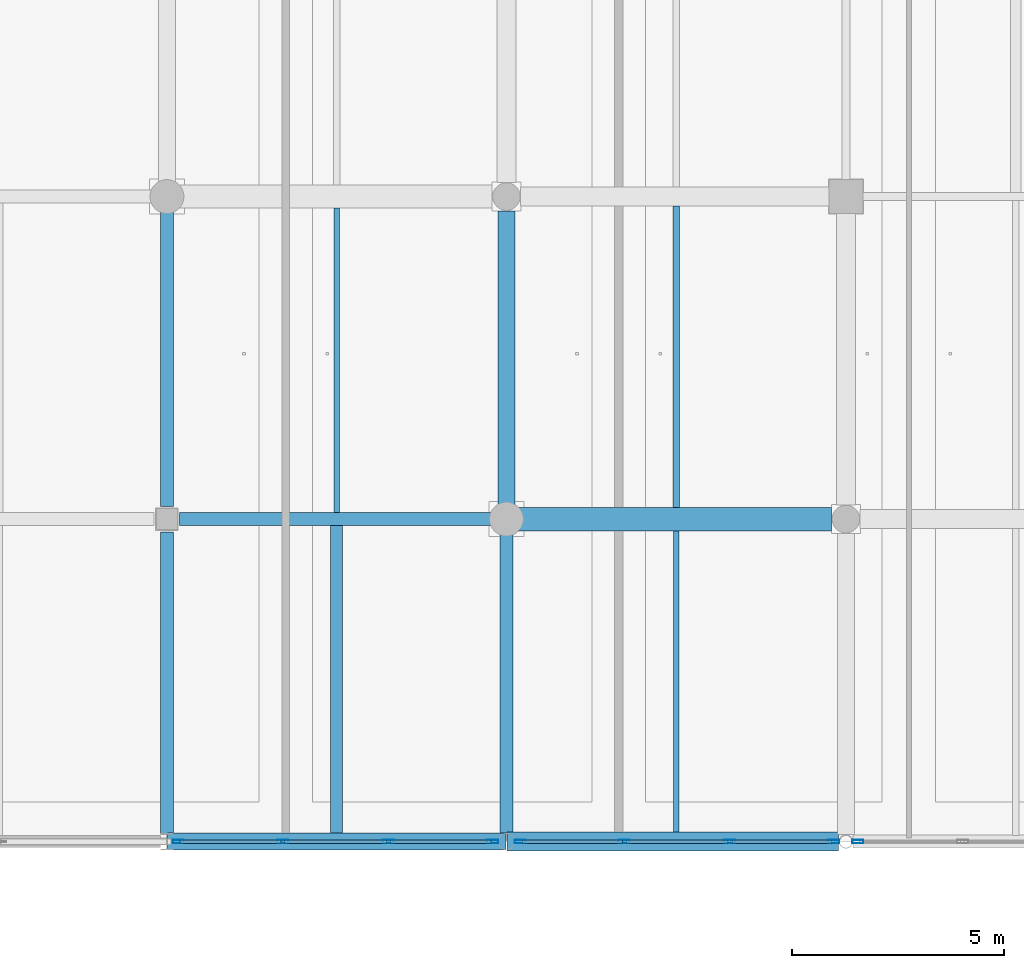
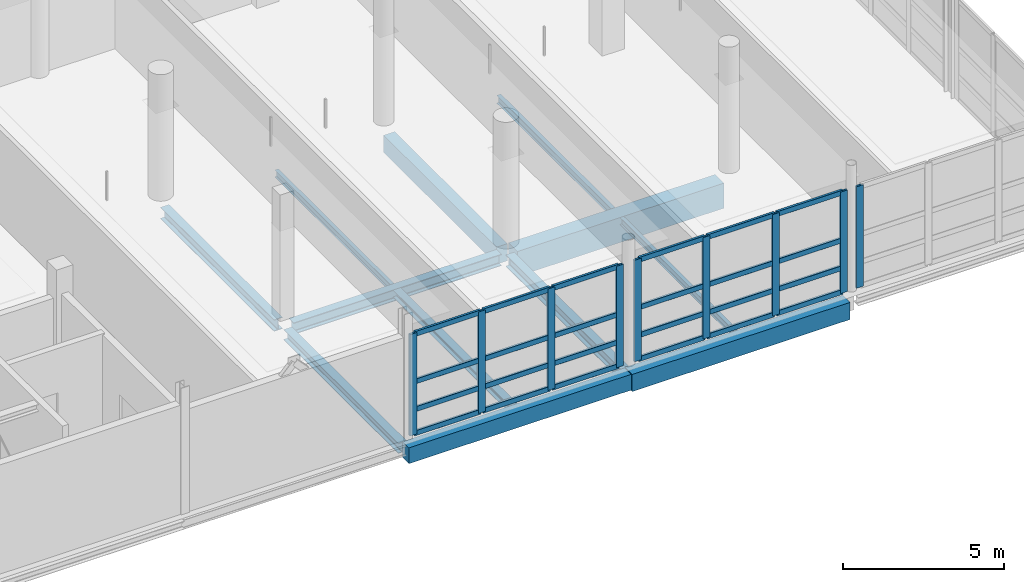
# One storey, part 45 of 147: 33 members, 12 beams, 3 elements without a shape of their own.
"""IFC4 building model written with IfcOpenShell, lengths in metres."""

import ifcopenshell
import ifcopenshell.guid

model = None  # the IFC model being written
_history = None  # IfcOwnerHistory: only IFC2X3 demands one
_inside = {}  # id of a spatial element -> (the spatial element, [elements in it])
_under = {}  # id of a project, library or spatial element -> (it, [spatial elements below it])
_declared = {}  # id of a project -> (the project, [libraries it declares])
_typed = {}  # id of a type object -> (the type object, [elements of that type])
_made_of = {}  # id of a material, layer set ... -> (it, [elements and type objects made of it])


def new_model(schema):
    """Start an empty IFC model of exactly this schema.

    Asked for "IFC4X3", IfcOpenShell would pick the latest addendum, in which some entities
    have other attributes; the version numbers below select the first issue.
    IFC2X3 requires an IfcOwnerHistory on every rooted entity: one is made here for all.
    """
    global model, _history
    if schema == "IFC4X3":
        model = ifcopenshell.file(schema_version=(4, 3, 0, 0))
    else:
        model = ifcopenshell.file(schema=schema)
    _inside.clear()
    _under.clear()
    _declared.clear()
    _typed.clear()
    _made_of.clear()
    _history = None
    if model.schema == "IFC2X3":
        org = make("IfcOrganization", Name="unknown")
        user = make(
            "IfcPersonAndOrganization",
            ThePerson=make("IfcPerson", FamilyName="unknown"),
            TheOrganization=org,
        )
        app = make(
            "IfcApplication",
            ApplicationDeveloper=org,
            Version="unknown",
            ApplicationFullName="unknown",
            ApplicationIdentifier="unknown",
        )
        _history = make(
            "IfcOwnerHistory",
            OwningUser=user,
            OwningApplication=app,
            ChangeAction="ADDED",
            CreationDate=0,
        )
    return model


def make(cls, **values):
    """One entity of the class cls with the attributes given. An attribute that is None is left unset."""
    return model.create_entity(
        cls, **{name: value for name, value in values.items() if value is not None}
    )


def rooted(cls, **values):
    """An entity with a GlobalId (a new one), such as an element, a storey or a relation."""
    return make(cls, GlobalId=ifcopenshell.guid.new(), OwnerHistory=_history, **values)


def si_unit(unit_type, name, prefix=None):
    """IfcSIUnit, for example si_unit("LENGTHUNIT", "METRE", prefix="MILLI")."""
    return make("IfcSIUnit", UnitType=unit_type, Prefix=prefix, Name=name)


def assignment(units):
    """IfcUnitAssignment: the units of a project."""
    return None if units is None else make("IfcUnitAssignment", Units=units)


def point(xyz):
    """IfcCartesianPoint."""
    return None if xyz is None else make("IfcCartesianPoint", Coordinates=xyz)


def direction(xyz):
    """IfcDirection."""
    return None if xyz is None else make("IfcDirection", DirectionRatios=xyz)


def frame(location, z_axis=None, x_axis=None):
    """IfcAxis2Placement3D, a coordinate frame: its origin and axes. An axis left out is left unset."""
    return make(
        "IfcAxis2Placement3D",
        Location=point(location),
        Axis=direction(z_axis),
        RefDirection=direction(x_axis),
    )


def frame_2d(location, x_axis=None):
    """IfcAxis2Placement2D, a coordinate frame in the plane: its origin and x axis."""
    return make(
        "IfcAxis2Placement2D", Location=point(location), RefDirection=direction(x_axis)
    )


def origin():
    """The frame at (0, 0, 0) with its axes left unset."""
    return frame((0.0, 0.0, 0.0))


def origin_2d():
    """The frame at (0, 0) in the plane with its x axis left unset."""
    return frame_2d((0.0, 0.0))


def place(relative_to, where):
    """IfcLocalPlacement: puts the frame where relative to a parent placement (None: the world)."""
    return make(
        "IfcLocalPlacement", PlacementRelTo=relative_to, RelativePlacement=where
    )


def context(
    kind, dimensions, precision=None, world=None, true_north=None, identifier=None
):
    """IfcGeometricRepresentationContext, for example the 3D "Model" context."""
    return make(
        "IfcGeometricRepresentationContext",
        ContextIdentifier=identifier,
        ContextType=kind,
        CoordinateSpaceDimension=dimensions,
        Precision=precision,
        WorldCoordinateSystem=world,
        TrueNorth=true_north,
    )


def subcontext(parent, identifier, kind, view, scale=None):
    """IfcGeometricRepresentationSubContext, for example "Body" below "Model"."""
    return make(
        "IfcGeometricRepresentationSubContext",
        ContextIdentifier=identifier,
        ContextType=kind,
        ParentContext=parent,
        TargetScale=scale,
        TargetView=view,
    )


def project(units=None, contexts=None):
    """IfcProject with its units and contexts."""
    return rooted(
        "IfcProject",
        Name="project",
        RepresentationContexts=contexts,
        UnitsInContext=assignment(units),
    )


def spatial(cls, under=None, at=None, **own):
    """A site, building, storey or space (cls), placed at a placement, below another one or the project."""
    s = rooted(cls, ObjectPlacement=at, **own)
    if under is not None:
        _under.setdefault(under.id(), (under, []))[1].append(s)
    return s


def profile(cls, at=None, kind="AREA", **sizes):
    """A parametric profile (cls). Its sizes go by their IFC names, for example OverallWidth=200.0."""
    return make(cls, ProfileType=kind, Position=at, **sizes)


def rectangle(**sizes):
    """IfcRectangleProfileDef."""
    return profile("IfcRectangleProfileDef", **sizes)


def hollow_rectangle(**sizes):
    """IfcRectangleHollowProfileDef."""
    return profile("IfcRectangleHollowProfileDef", **sizes)


def i_section(**sizes):
    """IfcIShapeProfileDef."""
    return profile("IfcIShapeProfileDef", **sizes)


def extrude(swept, where, along, depth):
    """IfcExtrudedAreaSolid: the profile swept, set in the frame where, extruded along a direction by depth."""
    return make(
        "IfcExtrudedAreaSolid",
        SweptArea=swept,
        Position=where,
        ExtrudedDirection=direction(along),
        Depth=depth,
    )


def shape(context_of_items, identifier, shape_type, items):
    """IfcShapeRepresentation: the items that make up one representation, for example the "Body"."""
    return make(
        "IfcShapeRepresentation",
        ContextOfItems=context_of_items,
        RepresentationIdentifier=identifier,
        RepresentationType=shape_type,
        Items=items,
    )


def material(Name=None, Category=None):
    """IfcMaterial."""
    return make("IfcMaterial", Name=Name, Category=Category)


def material_profile(
    of_material, cross_section, Name=None, Category=None, Priority=None
):
    """IfcMaterialProfile: a cross section and its material."""
    return make(
        "IfcMaterialProfile",
        Name=Name,
        Material=of_material,
        Profile=cross_section,
        Priority=Priority,
        Category=Category,
    )


def profile_set(profiles, Name=None, composite=None):
    """IfcMaterialProfileSet."""
    return make(
        "IfcMaterialProfileSet",
        Name=Name,
        MaterialProfiles=profiles,
        CompositeProfile=composite,
    )


def made_of(thing, what):
    """Note that an element or type object is made of a material, layer set ...; save() writes the relation."""
    if what is not None:
        _made_of.setdefault(what.id(), (what, []))[1].append(thing)
    return thing


def type_object(cls, material=None, **own):
    """A type object (cls), such as IfcWallType, which elements share."""
    return made_of(rooted(cls, **own), material)


def element(
    cls,
    number,
    at=None,
    inside=None,
    cuts=None,
    type_object=None,
    material=None,
    context=None,
    identifier="Body",
    shape_type=None,
    held_by="IfcProductDefinitionShape",
    body=None,
    shapes=None,
    **own,
):
    """One element of the class cls, such as IfcWall. Its Tag is "e" and its number.

    at: its placement. inside: the storey or other place that contains it. cuts: it is an
    opening in that element (IfcRelVoidsElement). A single representation is given by context,
    identifier, shape_type and body (its items); several are given by shapes. held_by: the class
    of the entity that holds the representations. save() writes the other relations.
    """
    e = rooted(cls, Tag="e%d" % number, ObjectPlacement=at, **own)
    if body is not None:
        shapes = [shape(context, identifier, shape_type, body)]
    if shapes is not None:
        e.Representation = make(held_by, Representations=shapes)
    if inside is not None:
        _inside.setdefault(inside.id(), (inside, []))[1].append(e)
    if cuts is not None:
        rooted(
            "IfcRelVoidsElement", RelatingBuildingElement=cuts, RelatedOpeningElement=e
        )
    if type_object is not None:
        _typed.setdefault(type_object.id(), (type_object, []))[1].append(e)
    return made_of(e, material)


def aggregate(whole, parts):
    """IfcRelAggregates: a whole, such as a stair, and the parts it consists of."""
    return rooted("IfcRelAggregates", RelatingObject=whole, RelatedObjects=parts)


def save(model, path):
    """Write the relations noted so far, then the file.

    IfcRelAggregates (storeys below a building ...), IfcRelContainedInSpatialStructure (elements
    in a storey), IfcRelDefinesByType, IfcRelAssociatesMaterial and IfcRelDeclares: one each for
    every whole, place, type object, material and project.
    """
    for whole, parts in _under.values():
        aggregate(whole, parts)
    for where, things in _inside.values():
        rooted(
            "IfcRelContainedInSpatialStructure",
            RelatedElements=things,
            RelatingStructure=where,
        )
    for kind, things in _typed.values():
        rooted("IfcRelDefinesByType", RelatedObjects=things, RelatingType=kind)
    for what, things in _made_of.values():
        rooted("IfcRelAssociatesMaterial", RelatedObjects=things, RelatingMaterial=what)
    for by, libraries in _declared.values():
        rooted("IfcRelDeclares", RelatingContext=by, RelatedDefinitions=libraries)
    model.write(path)


model = new_model("IFC4")

# Units and contexts
model_context = context("Model", 3, precision=1e-05, world=origin(), true_north=direction((0.0, 1.0)))
body_context = subcontext(model_context, "Body", "Model", "MODEL_VIEW")
ifc_project = project(units=[si_unit("LENGTHUNIT", "METRE"), si_unit("AREAUNIT", "SQUARE_METRE"), si_unit("VOLUMEUNIT", "CUBIC_METRE"), si_unit("PLANEANGLEUNIT", "RADIAN"), si_unit("MASSUNIT", "GRAM", prefix="KILO")], contexts=[model_context])

# Site, building, storey
site_placement = place(None, origin())
site = spatial("IfcSite", under=ifc_project, at=site_placement, CompositionType="ELEMENT")
building_placement = place(site_placement, origin())
building = spatial("IfcBuilding", under=site, at=building_placement, Name="Khelvaren Railside Concert Hall", CompositionType="ELEMENT")
storey_placement = place(building_placement, frame((0.0, 0.0, 5.39990234375)))
storey = spatial("IfcBuildingStorey", under=building, at=storey_placement, Name="L01", CompositionType="ELEMENT", Elevation=5.39990234375)

# Beams
ifc_material_1 = material(Name="Steel S355", Category="steel")
ifc_material_profile_1 = material_profile(ifc_material_1, i_section(OverallWidth=0.300048828125, OverallDepth=0.389892578125, WebThickness=0.010986328125, FlangeThickness=0.01904296875, FilletRadius=0.027099609375, at=origin_2d()), Name="HEA 400")
ifc_profile_set_1 = profile_set([ifc_material_profile_1], Name="Steel S355")
beam_type_1 = type_object("IfcBeamType", Name="BM23", PredefinedType="BEAM", material=ifc_profile_set_1)
beam_1_placement = place(storey_placement, frame((160.0, 0.179931640625, -0.494873046875), z_axis=(0.0, 1.0, 0.0), x_axis=(-1.0, 0.0, 0.0)))
element("IfcBeam", 1, at=beam_1_placement, inside=storey, type_object=beam_type_1, Name="V2 L01 Beam Y3.1", PredefinedType="BEAM", context=body_context, shape_type="SweptSolid", body=[
    extrude(i_section(OverallWidth=0.300048828125, OverallDepth=0.389892578125, WebThickness=0.010986328125, FlangeThickness=0.01904296875, FilletRadius=0.027099609375, at=origin_2d()), origin(), (0.0, 0.0, 1.0), 7.1201171875),
])
ifc_material_2 = material(Name="Concrete C40/50", Category="concrete")
ifc_material_profile_2 = material_profile(ifc_material_2, rectangle(XDim=0.39990234375, YDim=0.64990234375, at=origin_2d()), Name="RCB 400x650")
ifc_profile_set_2 = profile_set([ifc_material_profile_2], Name="Concrete C40/50")
beam_type_2 = type_object("IfcBeamType", Name="BM33", PredefinedType="BEAM", material=ifc_profile_set_2)
beam_2_placement = place(storey_placement, frame((168.0, 7.85009765625, -0.625), z_axis=(0.0, 1.0, 0.0), x_axis=(-1.0, 0.0, 0.0)))
element("IfcBeam", 2, at=beam_2_placement, inside=storey, type_object=beam_type_2, Name="V2 L01 Beam Y4.2", PredefinedType="BEAM", context=body_context, shape_type="SweptSolid", body=[
    extrude(rectangle(XDim=0.39990234375, YDim=0.64990234375, at=origin_2d()), origin(), (0.0, 0.0, 1.0), 7.013916015625),
])
ifc_material_profile_3 = material_profile(ifc_material_1, i_section(OverallWidth=0.300048828125, OverallDepth=0.43994140625, WebThickness=0.011474609375, FlangeThickness=0.02099609375, FilletRadius=0.027099609375, at=origin_2d()), Name="HEA 450")
ifc_profile_set_3 = profile_set([ifc_material_profile_3], Name="Steel S355")
beam_type_3 = type_object("IfcBeamType", Name="BM89", PredefinedType="BEAM", material=ifc_profile_set_3)
beam_3_placement = place(storey_placement, frame((160.300048828125, 7.60009765625, -0.52001953125), z_axis=(1.0, 0.0, 0.0), x_axis=(0.0, 1.0, 0.0)))
element("IfcBeam", 3, at=beam_3_placement, inside=storey, type_object=beam_type_3, Name="V2 L01 Beam X2.3", PredefinedType="BEAM", context=body_context, shape_type="SweptSolid", body=[
    extrude(i_section(OverallWidth=0.300048828125, OverallDepth=0.43994140625, WebThickness=0.011474609375, FlangeThickness=0.02099609375, FilletRadius=0.027099609375, at=origin_2d()), origin(), (0.0, 0.0, 1.0), 7.449951171875),
])
beam_4_placement = place(storey_placement, frame((160.0, 7.89990234375, -0.52001953125), z_axis=(0.0, 1.0, 0.0), x_axis=(-1.0, 0.0, 0.0)))
element("IfcBeam", 4, at=beam_4_placement, inside=storey, type_object=beam_type_3, Name="V2 L01 Beam Y3.2", PredefinedType="BEAM", context=body_context, shape_type="SweptSolid", body=[
    extrude(i_section(OverallWidth=0.300048828125, OverallDepth=0.43994140625, WebThickness=0.011474609375, FlangeThickness=0.02099609375, FilletRadius=0.027099609375, at=origin_2d()), origin(), (0.0, 0.0, 1.0), 7.050048828125),
])
beam_5_placement = place(storey_placement, frame((168.0, 0.195068359375, -0.52001953125), z_axis=(0.0, 1.0, 0.0), x_axis=(-1.0, 0.0, 0.0)))
element("IfcBeam", 5, at=beam_5_placement, inside=storey, type_object=beam_type_3, Name="V2 L01 Beam Y4.1", PredefinedType="BEAM", context=body_context, shape_type="SweptSolid", body=[
    extrude(i_section(OverallWidth=0.300048828125, OverallDepth=0.43994140625, WebThickness=0.011474609375, FlangeThickness=0.02099609375, FilletRadius=0.027099609375, at=origin_2d()), origin(), (0.0, 0.0, 1.0), 7.155029296875),
])

# Curtain wall, members
ifc_material_3 = material(Name="Acoustic laminated crystal facade glass", Category="glass")
curtain_wall_type_1 = type_object("IfcCurtainWallType", Name="CW66", PredefinedType="USERDEFINED", material=ifc_material_3)
curtain_wall_1_placement = place(storey_placement, origin())
curtain_wall_1 = element("IfcCurtainWall", 6, at=curtain_wall_1_placement, inside=storey, type_object=curtain_wall_type_1, Name="Unitised Curtain Wall CW-V2-L01-S-160", ObjectType="UNITISED CURTAIN WALL", PredefinedType="USERDEFINED")
ifc_material_4 = material(Name="Anodised architectural aluminium 6063-T6", Category="aluminium")
ifc_material_profile_4 = material_profile(ifc_material_4, hollow_rectangle(XDim=0.0849609375, YDim=0.260009765625, WallThickness=0.0048828125, InnerFilletRadius=0.0029296875, OuterFilletRadius=0.0048828125, at=origin_2d()), Name="CWM 85x260x5")
ifc_profile_set_4 = profile_set([ifc_material_profile_4], Name="Anodised architectural aluminium 6063-T6")
member_type_1 = type_object("IfcMemberType", Name="CWM40", PredefinedType="MULLION", material=ifc_profile_set_4)
member_1_placement = place(storey_placement, frame((167.6767578125, 0.0, 0.0), z_axis=(0.0, 0.0, 1.0), x_axis=(0.0, -1.0, 0.0)))
member_1 = element("IfcMember", 7, at=member_1_placement, type_object=member_type_1, Name="CW66 mullion 1", PredefinedType="MULLION", context=body_context, shape_type="SweptSolid", body=[
    extrude(hollow_rectangle(XDim=0.0849609375, YDim=0.260009765625, WallThickness=0.0048828125, InnerFilletRadius=0.0029296875, OuterFilletRadius=0.0048828125, at=origin_2d()), origin(), (0.0, 0.0, 1.0), 3.85009765625),
])
member_2_placement = place(storey_placement, frame((165.221923828125, 0.0, 0.0), z_axis=(0.0, 0.0, 1.0), x_axis=(0.0, -1.0, 0.0)))
member_2 = element("IfcMember", 8, at=member_2_placement, type_object=member_type_1, Name="CW66 mullion 2", PredefinedType="MULLION", context=body_context, shape_type="SweptSolid", body=[
    extrude(hollow_rectangle(XDim=0.0849609375, YDim=0.260009765625, WallThickness=0.0048828125, InnerFilletRadius=0.0029296875, OuterFilletRadius=0.0048828125, at=origin_2d()), origin(), (0.0, 0.0, 1.0), 3.85009765625),
])
member_3_placement = place(storey_placement, frame((162.724853515625, 0.0, 0.0), z_axis=(0.0, 0.0, 1.0), x_axis=(0.0, -1.0, 0.0)))
member_3 = element("IfcMember", 9, at=member_3_placement, type_object=member_type_1, Name="CW66 mullion 3", PredefinedType="MULLION", context=body_context, shape_type="SweptSolid", body=[
    extrude(hollow_rectangle(XDim=0.0849609375, YDim=0.260009765625, WallThickness=0.0048828125, InnerFilletRadius=0.0029296875, OuterFilletRadius=0.0048828125, at=origin_2d()), origin(), (0.0, 0.0, 1.0), 3.85009765625),
])
member_4_placement = place(storey_placement, frame((160.27001953125, 0.0, 0.0), z_axis=(0.0, 0.0, 1.0), x_axis=(0.0, -1.0, 0.0)))
member_4 = element("IfcMember", 10, at=member_4_placement, type_object=member_type_1, Name="CW66 mullion 4", PredefinedType="MULLION", context=body_context, shape_type="SweptSolid", body=[
    extrude(hollow_rectangle(XDim=0.0849609375, YDim=0.260009765625, WallThickness=0.0048828125, InnerFilletRadius=0.0029296875, OuterFilletRadius=0.0048828125, at=origin_2d()), origin(), (0.0, 0.0, 1.0), 3.85009765625),
])

curtain_wall_type_2 = type_object("IfcCurtainWallType", Name="CW21", PredefinedType="USERDEFINED", material=ifc_material_3)
curtain_wall_2_placement = place(storey_placement, origin())
curtain_wall_2 = element("IfcCurtainWall", 11, at=curtain_wall_2_placement, inside=storey, type_object=curtain_wall_type_2, Name="Unitised Curtain Wall CW-V2-L01-S-168", ObjectType="UNITISED CURTAIN WALL", PredefinedType="USERDEFINED")
member_5_placement = place(storey_placement, frame((175.718017578125, 0.0, 0.0), z_axis=(0.0, 0.0, 1.0), x_axis=(0.0, -1.0, 0.0)))
member_5 = element("IfcMember", 12, at=member_5_placement, type_object=member_type_1, Name="CW21 mullion 1", PredefinedType="MULLION", context=body_context, shape_type="SweptSolid", body=[
    extrude(hollow_rectangle(XDim=0.0849609375, YDim=0.260009765625, WallThickness=0.0048828125, InnerFilletRadius=0.0029296875, OuterFilletRadius=0.0048828125, at=origin_2d()), origin(), (0.0, 0.0, 1.0), 3.85009765625),
])
member_6_placement = place(storey_placement, frame((173.267333984375, 0.0, 0.0), z_axis=(0.0, 0.0, 1.0), x_axis=(0.0, -1.0, 0.0)))
member_6 = element("IfcMember", 13, at=member_6_placement, type_object=member_type_1, Name="CW21 mullion 2", PredefinedType="MULLION", context=body_context, shape_type="SweptSolid", body=[
    extrude(hollow_rectangle(XDim=0.0849609375, YDim=0.260009765625, WallThickness=0.0048828125, InnerFilletRadius=0.0029296875, OuterFilletRadius=0.0048828125, at=origin_2d()), origin(), (0.0, 0.0, 1.0), 3.85009765625),
])
member_7_placement = place(storey_placement, frame((170.77392578125, 0.0, 0.0), z_axis=(0.0, 0.0, 1.0), x_axis=(0.0, -1.0, 0.0)))
member_7 = element("IfcMember", 14, at=member_7_placement, type_object=member_type_1, Name="CW21 mullion 3", PredefinedType="MULLION", context=body_context, shape_type="SweptSolid", body=[
    extrude(hollow_rectangle(XDim=0.0849609375, YDim=0.260009765625, WallThickness=0.0048828125, InnerFilletRadius=0.0029296875, OuterFilletRadius=0.0048828125, at=origin_2d()), origin(), (0.0, 0.0, 1.0), 3.85009765625),
])
member_8_placement = place(storey_placement, frame((168.3232421875, 0.0, 0.0), z_axis=(0.0, 0.0, 1.0), x_axis=(0.0, -1.0, 0.0)))
member_8 = element("IfcMember", 15, at=member_8_placement, type_object=member_type_1, Name="CW21 mullion 4", PredefinedType="MULLION", context=body_context, shape_type="SweptSolid", body=[
    extrude(hollow_rectangle(XDim=0.0849609375, YDim=0.260009765625, WallThickness=0.0048828125, InnerFilletRadius=0.0029296875, OuterFilletRadius=0.0048828125, at=origin_2d()), origin(), (0.0, 0.0, 1.0), 3.85009765625),
])

# Curtain wall, member
curtain_wall_type_3 = type_object("IfcCurtainWallType", Name="CW15", PredefinedType="USERDEFINED", material=ifc_material_3)
curtain_wall_3_placement = place(storey_placement, origin())
curtain_wall_3 = element("IfcCurtainWall", 16, at=curtain_wall_3_placement, inside=storey, type_object=curtain_wall_type_3, Name="Unitised Curtain Wall CW-V2-L01-S-176", ObjectType="UNITISED CURTAIN WALL", PredefinedType="USERDEFINED")
member_9_placement = place(storey_placement, frame((176.281982421875, 0.0, 0.0), z_axis=(0.0, 0.0, 1.0), x_axis=(0.0, -1.0, 0.0)))
member_9 = element("IfcMember", 17, at=member_9_placement, type_object=member_type_1, Name="CW15 mullion 4", PredefinedType="MULLION", context=body_context, shape_type="SweptSolid", body=[
    extrude(hollow_rectangle(XDim=0.0849609375, YDim=0.260009765625, WallThickness=0.0048828125, InnerFilletRadius=0.0029296875, OuterFilletRadius=0.0048828125, at=origin_2d()), origin(), (0.0, 0.0, 1.0), 3.85009765625),
])
aggregate(curtain_wall_3, [member_9])

# Member
ifc_material_profile_5 = material_profile(ifc_material_4, hollow_rectangle(XDim=0.0849609375, YDim=0.18994140625, WallThickness=0.0048828125, InnerFilletRadius=0.0029296875, OuterFilletRadius=0.0048828125, at=origin_2d()), Name="CWT 85x190x5")
ifc_profile_set_5 = profile_set([ifc_material_profile_5], Name="Anodised architectural aluminium 6063-T6")
member_type_2 = type_object("IfcMemberType", Name="CWT31", PredefinedType="USERDEFINED", material=ifc_profile_set_5)
member_10_placement = place(storey_placement, frame((167.63427734375, 0.0, 0.04248046875), z_axis=(-1.0, 0.0, 0.0), x_axis=(0.0, -1.0, 0.0)))
member_10 = element("IfcMember", 18, at=member_10_placement, type_object=member_type_2, Name="CW66 transom 1.1", ObjectType="TRANSOM", PredefinedType="USERDEFINED", context=body_context, shape_type="SweptSolid", body=[
    extrude(hollow_rectangle(XDim=0.0849609375, YDim=0.18994140625, WallThickness=0.0048828125, InnerFilletRadius=0.0029296875, OuterFilletRadius=0.0048828125, at=origin_2d()), origin(), (0.0, 0.0, 1.0), 2.36962890625),
])

member_11_placement = place(storey_placement, frame((167.63427734375, 0.0, 0.9501953125), z_axis=(-1.0, 0.0, 0.0), x_axis=(0.0, -1.0, 0.0)))
member_11 = element("IfcMember", 19, at=member_11_placement, type_object=member_type_2, Name="CW66 transom 1.2", ObjectType="TRANSOM", PredefinedType="USERDEFINED", context=body_context, shape_type="SweptSolid", body=[
    extrude(hollow_rectangle(XDim=0.0849609375, YDim=0.18994140625, WallThickness=0.0048828125, InnerFilletRadius=0.0029296875, OuterFilletRadius=0.0048828125, at=origin_2d()), origin(), (0.0, 0.0, 1.0), 2.36962890625),
])

member_12_placement = place(storey_placement, frame((167.63427734375, 0.0, 2.002197265625), z_axis=(-1.0, 0.0, 0.0), x_axis=(0.0, -1.0, 0.0)))
member_12 = element("IfcMember", 20, at=member_12_placement, type_object=member_type_2, Name="CW66 transom 1.3", ObjectType="TRANSOM", PredefinedType="USERDEFINED", context=body_context, shape_type="SweptSolid", body=[
    extrude(hollow_rectangle(XDim=0.0849609375, YDim=0.18994140625, WallThickness=0.0048828125, InnerFilletRadius=0.0029296875, OuterFilletRadius=0.0048828125, at=origin_2d()), origin(), (0.0, 0.0, 1.0), 2.36962890625),
])

member_13_placement = place(storey_placement, frame((167.63427734375, 0.0, 3.8076171875), z_axis=(-1.0, 0.0, 0.0), x_axis=(0.0, -1.0, 0.0)))
member_13 = element("IfcMember", 21, at=member_13_placement, type_object=member_type_2, Name="CW66 transom 1.4", ObjectType="TRANSOM", PredefinedType="USERDEFINED", context=body_context, shape_type="SweptSolid", body=[
    extrude(hollow_rectangle(XDim=0.0849609375, YDim=0.18994140625, WallThickness=0.0048828125, InnerFilletRadius=0.0029296875, OuterFilletRadius=0.0048828125, at=origin_2d()), origin(), (0.0, 0.0, 1.0), 2.36962890625),
])

member_14_placement = place(storey_placement, frame((165.179443359375, 0.0, 0.04248046875), z_axis=(-1.0, 0.0, 0.0), x_axis=(0.0, -1.0, 0.0)))
member_14 = element("IfcMember", 22, at=member_14_placement, type_object=member_type_2, Name="CW66 transom 2.1", ObjectType="TRANSOM", PredefinedType="USERDEFINED", context=body_context, shape_type="SweptSolid", body=[
    extrude(hollow_rectangle(XDim=0.0849609375, YDim=0.18994140625, WallThickness=0.0048828125, InnerFilletRadius=0.0029296875, OuterFilletRadius=0.0048828125, at=origin_2d()), origin(), (0.0, 0.0, 1.0), 2.412109375),
])

member_15_placement = place(storey_placement, frame((165.179443359375, 0.0, 0.9501953125), z_axis=(-1.0, 0.0, 0.0), x_axis=(0.0, -1.0, 0.0)))
member_15 = element("IfcMember", 23, at=member_15_placement, type_object=member_type_2, Name="CW66 transom 2.2", ObjectType="TRANSOM", PredefinedType="USERDEFINED", context=body_context, shape_type="SweptSolid", body=[
    extrude(hollow_rectangle(XDim=0.0849609375, YDim=0.18994140625, WallThickness=0.0048828125, InnerFilletRadius=0.0029296875, OuterFilletRadius=0.0048828125, at=origin_2d()), origin(), (0.0, 0.0, 1.0), 2.412109375),
])

member_16_placement = place(storey_placement, frame((165.179443359375, 0.0, 2.002197265625), z_axis=(-1.0, 0.0, 0.0), x_axis=(0.0, -1.0, 0.0)))
member_16 = element("IfcMember", 24, at=member_16_placement, type_object=member_type_2, Name="CW66 transom 2.3", ObjectType="TRANSOM", PredefinedType="USERDEFINED", context=body_context, shape_type="SweptSolid", body=[
    extrude(hollow_rectangle(XDim=0.0849609375, YDim=0.18994140625, WallThickness=0.0048828125, InnerFilletRadius=0.0029296875, OuterFilletRadius=0.0048828125, at=origin_2d()), origin(), (0.0, 0.0, 1.0), 2.412109375),
])

member_17_placement = place(storey_placement, frame((165.179443359375, 0.0, 3.8076171875), z_axis=(-1.0, 0.0, 0.0), x_axis=(0.0, -1.0, 0.0)))
member_17 = element("IfcMember", 25, at=member_17_placement, type_object=member_type_2, Name="CW66 transom 2.4", ObjectType="TRANSOM", PredefinedType="USERDEFINED", context=body_context, shape_type="SweptSolid", body=[
    extrude(hollow_rectangle(XDim=0.0849609375, YDim=0.18994140625, WallThickness=0.0048828125, InnerFilletRadius=0.0029296875, OuterFilletRadius=0.0048828125, at=origin_2d()), origin(), (0.0, 0.0, 1.0), 2.412109375),
])

member_18_placement = place(storey_placement, frame((162.682373046875, 0.0, 0.04248046875), z_axis=(-1.0, 0.0, 0.0), x_axis=(0.0, -1.0, 0.0)))
member_18 = element("IfcMember", 26, at=member_18_placement, type_object=member_type_2, Name="CW66 transom 3.1", ObjectType="TRANSOM", PredefinedType="USERDEFINED", context=body_context, shape_type="SweptSolid", body=[
    extrude(hollow_rectangle(XDim=0.0849609375, YDim=0.18994140625, WallThickness=0.0048828125, InnerFilletRadius=0.0029296875, OuterFilletRadius=0.0048828125, at=origin_2d()), origin(), (0.0, 0.0, 1.0), 2.369873046875),
])

member_19_placement = place(storey_placement, frame((162.682373046875, 0.0, 0.9501953125), z_axis=(-1.0, 0.0, 0.0), x_axis=(0.0, -1.0, 0.0)))
member_19 = element("IfcMember", 27, at=member_19_placement, type_object=member_type_2, Name="CW66 transom 3.2", ObjectType="TRANSOM", PredefinedType="USERDEFINED", context=body_context, shape_type="SweptSolid", body=[
    extrude(hollow_rectangle(XDim=0.0849609375, YDim=0.18994140625, WallThickness=0.0048828125, InnerFilletRadius=0.0029296875, OuterFilletRadius=0.0048828125, at=origin_2d()), origin(), (0.0, 0.0, 1.0), 2.369873046875),
])

member_20_placement = place(storey_placement, frame((162.682373046875, 0.0, 2.002197265625), z_axis=(-1.0, 0.0, 0.0), x_axis=(0.0, -1.0, 0.0)))
member_20 = element("IfcMember", 28, at=member_20_placement, type_object=member_type_2, Name="CW66 transom 3.3", ObjectType="TRANSOM", PredefinedType="USERDEFINED", context=body_context, shape_type="SweptSolid", body=[
    extrude(hollow_rectangle(XDim=0.0849609375, YDim=0.18994140625, WallThickness=0.0048828125, InnerFilletRadius=0.0029296875, OuterFilletRadius=0.0048828125, at=origin_2d()), origin(), (0.0, 0.0, 1.0), 2.369873046875),
])

member_21_placement = place(storey_placement, frame((162.682373046875, 0.0, 3.8076171875), z_axis=(-1.0, 0.0, 0.0), x_axis=(0.0, -1.0, 0.0)))
member_21 = element("IfcMember", 29, at=member_21_placement, type_object=member_type_2, Name="CW66 transom 3.4", ObjectType="TRANSOM", PredefinedType="USERDEFINED", context=body_context, shape_type="SweptSolid", body=[
    extrude(hollow_rectangle(XDim=0.0849609375, YDim=0.18994140625, WallThickness=0.0048828125, InnerFilletRadius=0.0029296875, OuterFilletRadius=0.0048828125, at=origin_2d()), origin(), (0.0, 0.0, 1.0), 2.369873046875),
])

aggregate(curtain_wall_1, [member_1, member_2, member_3, member_4, member_10, member_11, member_12, member_13, member_14, member_15, member_16, member_17, member_18, member_19, member_20, member_21])

member_22_placement = place(storey_placement, frame((175.675537109375, 0.0, 0.04248046875), z_axis=(-1.0, 0.0, 0.0), x_axis=(0.0, -1.0, 0.0)))
member_22 = element("IfcMember", 30, at=member_22_placement, type_object=member_type_2, Name="CW21 transom 1.1", ObjectType="TRANSOM", PredefinedType="USERDEFINED", context=body_context, shape_type="SweptSolid", body=[
    extrude(hollow_rectangle(XDim=0.0849609375, YDim=0.18994140625, WallThickness=0.0048828125, InnerFilletRadius=0.0029296875, OuterFilletRadius=0.0048828125, at=origin_2d()), origin(), (0.0, 0.0, 1.0), 2.36572265625),
])

member_23_placement = place(storey_placement, frame((175.675537109375, 0.0, 0.9501953125), z_axis=(-1.0, 0.0, 0.0), x_axis=(0.0, -1.0, 0.0)))
member_23 = element("IfcMember", 31, at=member_23_placement, type_object=member_type_2, Name="CW21 transom 1.2", ObjectType="TRANSOM", PredefinedType="USERDEFINED", context=body_context, shape_type="SweptSolid", body=[
    extrude(hollow_rectangle(XDim=0.0849609375, YDim=0.18994140625, WallThickness=0.0048828125, InnerFilletRadius=0.0029296875, OuterFilletRadius=0.0048828125, at=origin_2d()), origin(), (0.0, 0.0, 1.0), 2.36572265625),
])

member_24_placement = place(storey_placement, frame((175.675537109375, 0.0, 2.002197265625), z_axis=(-1.0, 0.0, 0.0), x_axis=(0.0, -1.0, 0.0)))
member_24 = element("IfcMember", 32, at=member_24_placement, type_object=member_type_2, Name="CW21 transom 1.3", ObjectType="TRANSOM", PredefinedType="USERDEFINED", context=body_context, shape_type="SweptSolid", body=[
    extrude(hollow_rectangle(XDim=0.0849609375, YDim=0.18994140625, WallThickness=0.0048828125, InnerFilletRadius=0.0029296875, OuterFilletRadius=0.0048828125, at=origin_2d()), origin(), (0.0, 0.0, 1.0), 2.36572265625),
])

member_25_placement = place(storey_placement, frame((175.675537109375, 0.0, 3.8076171875), z_axis=(-1.0, 0.0, 0.0), x_axis=(0.0, -1.0, 0.0)))
member_25 = element("IfcMember", 33, at=member_25_placement, type_object=member_type_2, Name="CW21 transom 1.4", ObjectType="TRANSOM", PredefinedType="USERDEFINED", context=body_context, shape_type="SweptSolid", body=[
    extrude(hollow_rectangle(XDim=0.0849609375, YDim=0.18994140625, WallThickness=0.0048828125, InnerFilletRadius=0.0029296875, OuterFilletRadius=0.0048828125, at=origin_2d()), origin(), (0.0, 0.0, 1.0), 2.36572265625),
])

member_26_placement = place(storey_placement, frame((173.224853515625, 0.0, 0.04248046875), z_axis=(-1.0, 0.0, 0.0), x_axis=(0.0, -1.0, 0.0)))
member_26 = element("IfcMember", 34, at=member_26_placement, type_object=member_type_2, Name="CW21 transom 2.1", ObjectType="TRANSOM", PredefinedType="USERDEFINED", context=body_context, shape_type="SweptSolid", body=[
    extrude(hollow_rectangle(XDim=0.0849609375, YDim=0.18994140625, WallThickness=0.0048828125, InnerFilletRadius=0.0029296875, OuterFilletRadius=0.0048828125, at=origin_2d()), origin(), (0.0, 0.0, 1.0), 2.408447265625),
])

member_27_placement = place(storey_placement, frame((173.224853515625, 0.0, 0.9501953125), z_axis=(-1.0, 0.0, 0.0), x_axis=(0.0, -1.0, 0.0)))
member_27 = element("IfcMember", 35, at=member_27_placement, type_object=member_type_2, Name="CW21 transom 2.2", ObjectType="TRANSOM", PredefinedType="USERDEFINED", context=body_context, shape_type="SweptSolid", body=[
    extrude(hollow_rectangle(XDim=0.0849609375, YDim=0.18994140625, WallThickness=0.0048828125, InnerFilletRadius=0.0029296875, OuterFilletRadius=0.0048828125, at=origin_2d()), origin(), (0.0, 0.0, 1.0), 2.408447265625),
])

member_28_placement = place(storey_placement, frame((173.224853515625, 0.0, 2.002197265625), z_axis=(-1.0, 0.0, 0.0), x_axis=(0.0, -1.0, 0.0)))
member_28 = element("IfcMember", 36, at=member_28_placement, type_object=member_type_2, Name="CW21 transom 2.3", ObjectType="TRANSOM", PredefinedType="USERDEFINED", context=body_context, shape_type="SweptSolid", body=[
    extrude(hollow_rectangle(XDim=0.0849609375, YDim=0.18994140625, WallThickness=0.0048828125, InnerFilletRadius=0.0029296875, OuterFilletRadius=0.0048828125, at=origin_2d()), origin(), (0.0, 0.0, 1.0), 2.408447265625),
])

member_29_placement = place(storey_placement, frame((173.224853515625, 0.0, 3.8076171875), z_axis=(-1.0, 0.0, 0.0), x_axis=(0.0, -1.0, 0.0)))
member_29 = element("IfcMember", 37, at=member_29_placement, type_object=member_type_2, Name="CW21 transom 2.4", ObjectType="TRANSOM", PredefinedType="USERDEFINED", context=body_context, shape_type="SweptSolid", body=[
    extrude(hollow_rectangle(XDim=0.0849609375, YDim=0.18994140625, WallThickness=0.0048828125, InnerFilletRadius=0.0029296875, OuterFilletRadius=0.0048828125, at=origin_2d()), origin(), (0.0, 0.0, 1.0), 2.408447265625),
])

member_30_placement = place(storey_placement, frame((170.7314453125, 0.0, 0.04248046875), z_axis=(-1.0, 0.0, 0.0), x_axis=(0.0, -1.0, 0.0)))
member_30 = element("IfcMember", 38, at=member_30_placement, type_object=member_type_2, Name="CW21 transom 3.1", ObjectType="TRANSOM", PredefinedType="USERDEFINED", context=body_context, shape_type="SweptSolid", body=[
    extrude(hollow_rectangle(XDim=0.0849609375, YDim=0.18994140625, WallThickness=0.0048828125, InnerFilletRadius=0.0029296875, OuterFilletRadius=0.0048828125, at=origin_2d()), origin(), (0.0, 0.0, 1.0), 2.36572265625),
])

member_31_placement = place(storey_placement, frame((170.7314453125, 0.0, 0.9501953125), z_axis=(-1.0, 0.0, 0.0), x_axis=(0.0, -1.0, 0.0)))
member_31 = element("IfcMember", 39, at=member_31_placement, type_object=member_type_2, Name="CW21 transom 3.2", ObjectType="TRANSOM", PredefinedType="USERDEFINED", context=body_context, shape_type="SweptSolid", body=[
    extrude(hollow_rectangle(XDim=0.0849609375, YDim=0.18994140625, WallThickness=0.0048828125, InnerFilletRadius=0.0029296875, OuterFilletRadius=0.0048828125, at=origin_2d()), origin(), (0.0, 0.0, 1.0), 2.36572265625),
])

member_32_placement = place(storey_placement, frame((170.7314453125, 0.0, 2.002197265625), z_axis=(-1.0, 0.0, 0.0), x_axis=(0.0, -1.0, 0.0)))
member_32 = element("IfcMember", 40, at=member_32_placement, type_object=member_type_2, Name="CW21 transom 3.3", ObjectType="TRANSOM", PredefinedType="USERDEFINED", context=body_context, shape_type="SweptSolid", body=[
    extrude(hollow_rectangle(XDim=0.0849609375, YDim=0.18994140625, WallThickness=0.0048828125, InnerFilletRadius=0.0029296875, OuterFilletRadius=0.0048828125, at=origin_2d()), origin(), (0.0, 0.0, 1.0), 2.36572265625),
])

member_33_placement = place(storey_placement, frame((170.7314453125, 0.0, 3.8076171875), z_axis=(-1.0, 0.0, 0.0), x_axis=(0.0, -1.0, 0.0)))
member_33 = element("IfcMember", 41, at=member_33_placement, type_object=member_type_2, Name="CW21 transom 3.4", ObjectType="TRANSOM", PredefinedType="USERDEFINED", context=body_context, shape_type="SweptSolid", body=[
    extrude(hollow_rectangle(XDim=0.0849609375, YDim=0.18994140625, WallThickness=0.0048828125, InnerFilletRadius=0.0029296875, OuterFilletRadius=0.0048828125, at=origin_2d()), origin(), (0.0, 0.0, 1.0), 2.36572265625),
])

aggregate(curtain_wall_2, [member_5, member_6, member_7, member_8, member_22, member_23, member_24, member_25, member_26, member_27, member_28, member_29, member_30, member_31, member_32, member_33])

# Beams
ifc_material_profile_6 = material_profile(ifc_material_2, rectangle(XDim=0.550048828125, YDim=0.949951171875, at=origin_2d()), Name="RCB 550x950")
ifc_profile_set_6 = profile_set([ifc_material_profile_6], Name="Concrete C40/50")
beam_type_4 = type_object("IfcBeamType", Name="GR57", PredefinedType="T_BEAM", material=ifc_profile_set_6)
beam_6_placement = place(storey_placement, frame((168.25, 7.60009765625, -0.77490234375), z_axis=(1.0, 0.0, 0.0), x_axis=(0.0, 1.0, 0.0)))
element("IfcBeam", 42, at=beam_6_placement, inside=storey, type_object=beam_type_4, Name="V2 L01 T_Beam X2.4", PredefinedType="T_BEAM", context=body_context, shape_type="SweptSolid", body=[
    extrude(rectangle(XDim=0.550048828125, YDim=0.949951171875, at=origin_2d()), origin(), (0.0, 0.0, 1.0), 7.4140625),
])
ifc_material_profile_7 = material_profile(ifc_material_1, i_section(OverallWidth=0.14990234375, OverallDepth=0.300048828125, WebThickness=0.007080078125, FlangeThickness=0.0107421875, FilletRadius=0.014892578125, at=origin_2d()), Name="IPE 300")
ifc_profile_set_7 = profile_set([ifc_material_profile_7], Name="Steel S355")
beam_type_5 = type_object("IfcBeamType", Name="JS26", PredefinedType="JOIST", material=ifc_profile_set_7)
beam_7_placement = place(storey_placement, frame((172.0, 7.875, -0.449951171875), z_axis=(0.0, 1.0, 0.0), x_axis=(-1.0, 0.0, 0.0)))
element("IfcBeam", 43, at=beam_7_placement, inside=storey, type_object=beam_type_5, Name="V2 L01 Secondary Joist 4.2", PredefinedType="JOIST", context=body_context, shape_type="SweptSolid", body=[
    extrude(i_section(OverallWidth=0.14990234375, OverallDepth=0.300048828125, WebThickness=0.007080078125, FlangeThickness=0.0107421875, FilletRadius=0.014892578125, at=origin_2d()), origin(), (0.0, 0.0, 1.0), 7.10009765625),
])
ifc_material_profile_8 = material_profile(ifc_material_1, i_section(OverallWidth=0.280029296875, OverallDepth=0.27001953125, WebThickness=0.008056640625, FlangeThickness=0.012939453125, FilletRadius=0.02392578125, at=origin_2d()), Name="HEA 280")
ifc_profile_set_8 = profile_set([ifc_material_profile_8], Name="Steel S355")
beam_type_6 = type_object("IfcBeamType", Name="JS46", PredefinedType="JOIST", material=ifc_profile_set_8)
beam_8_placement = place(storey_placement, frame((164.0, 0.199951171875, -0.434814453125), z_axis=(0.0, 1.0, 0.0), x_axis=(-1.0, 0.0, 0.0)))
element("IfcBeam", 44, at=beam_8_placement, inside=storey, type_object=beam_type_6, Name="V2 L01 Secondary Joist 3.1", PredefinedType="JOIST", context=body_context, shape_type="SweptSolid", body=[
    extrude(i_section(OverallWidth=0.280029296875, OverallDepth=0.27001953125, WebThickness=0.008056640625, FlangeThickness=0.012939453125, FilletRadius=0.02392578125, at=origin_2d()), origin(), (0.0, 0.0, 1.0), 7.25),
])
ifc_material_profile_9 = material_profile(ifc_material_1, i_section(OverallWidth=0.135009765625, OverallDepth=0.27001953125, WebThickness=0.006591796875, FlangeThickness=0.01025390625, FilletRadius=0.014892578125, at=origin_2d()), Name="IPE 270")
ifc_profile_set_9 = profile_set([ifc_material_profile_9], Name="Steel S355")
beam_type_7 = type_object("IfcBeamType", Name="JS78", PredefinedType="JOIST", material=ifc_profile_set_9)
beam_9_placement = place(storey_placement, frame((164.0, 7.75, -0.434814453125), z_axis=(0.0, 1.0, 0.0), x_axis=(-1.0, 0.0, 0.0)))
element("IfcBeam", 45, at=beam_9_placement, inside=storey, type_object=beam_type_7, Name="V2 L01 Secondary Joist 3.2", PredefinedType="JOIST", context=body_context, shape_type="SweptSolid", body=[
    extrude(i_section(OverallWidth=0.135009765625, OverallDepth=0.27001953125, WebThickness=0.006591796875, FlangeThickness=0.01025390625, FilletRadius=0.014892578125, at=origin_2d()), origin(), (0.0, 0.0, 1.0), 7.175048828125),
])
beam_10_placement = place(storey_placement, frame((172.0, 0.22509765625, -0.434814453125), z_axis=(0.0, 1.0, 0.0), x_axis=(-1.0, 0.0, 0.0)))
element("IfcBeam", 46, at=beam_10_placement, inside=storey, type_object=beam_type_7, Name="V2 L01 Secondary Joist 4.1", PredefinedType="JOIST", context=body_context, shape_type="SweptSolid", body=[
    extrude(i_section(OverallWidth=0.135009765625, OverallDepth=0.27001953125, WebThickness=0.006591796875, FlangeThickness=0.01025390625, FilletRadius=0.014892578125, at=origin_2d()), origin(), (0.0, 0.0, 1.0), 7.099853515625),
])
ifc_material_profile_10 = material_profile(ifc_material_2, rectangle(XDim=0.449951171875, YDim=0.64990234375, at=origin_2d()), Name="RCB 450x650")
ifc_profile_set_10 = profile_set([ifc_material_profile_10], Name="Concrete C40/50")
beam_type_8 = type_object("IfcBeamType", Name="SP34", PredefinedType="SPANDREL", material=ifc_profile_set_10)
beam_11_placement = place(storey_placement, frame((168.010009765625, 0.0, -0.625), z_axis=(1.0, 0.0, 0.0), x_axis=(0.0, 1.0, 0.0)))
element("IfcBeam", 47, at=beam_11_placement, inside=storey, type_object=beam_type_8, Name="V2 L01 Spandrel X1.4", PredefinedType="SPANDREL", context=body_context, shape_type="SweptSolid", body=[
    extrude(rectangle(XDim=0.449951171875, YDim=0.64990234375, at=origin_2d()), origin(), (0.0, 0.0, 1.0), 7.8193359375),
])
ifc_material_profile_11 = material_profile(ifc_material_2, rectangle(XDim=0.39990234375, YDim=0.60009765625, at=origin_2d()), Name="RCB 400x600")
ifc_profile_set_11 = profile_set([ifc_material_profile_11], Name="Concrete C40/50")
beam_type_9 = type_object("IfcBeamType", Name="SP75", PredefinedType="SPANDREL", material=ifc_profile_set_11)
beam_12_placement = place(storey_placement, frame((160.010009765625, 0.0, -0.599853515625), z_axis=(1.0, 0.0, 0.0), x_axis=(0.0, 1.0, 0.0)))
element("IfcBeam", 48, at=beam_12_placement, inside=storey, type_object=beam_type_9, Name="V2 L01 Spandrel X1.3", PredefinedType="SPANDREL", context=body_context, shape_type="SweptSolid", body=[
    extrude(rectangle(XDim=0.39990234375, YDim=0.60009765625, at=origin_2d()), origin(), (0.0, 0.0, 1.0), 7.97998046875),
])

save(model, "model.ifc")
